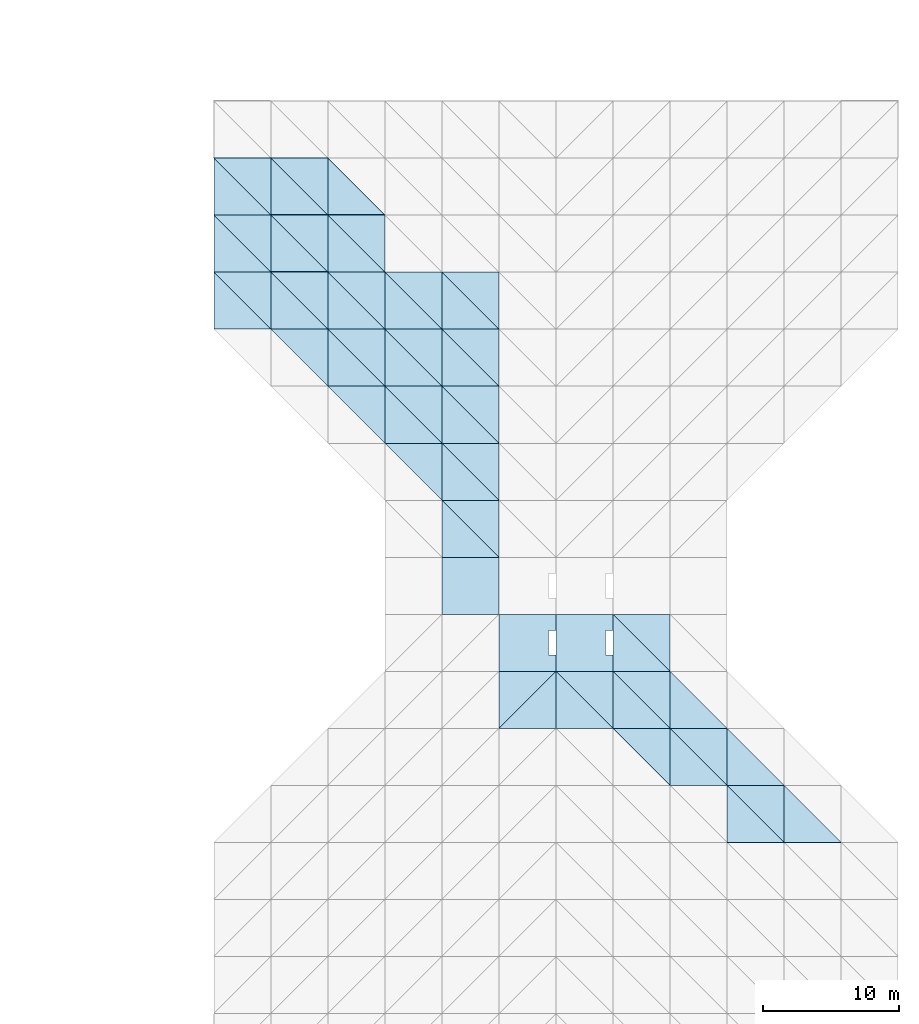
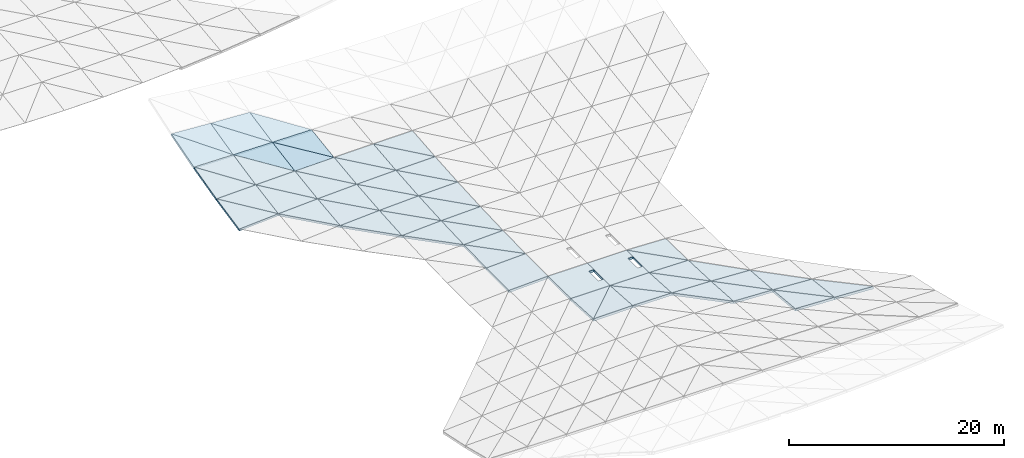
# One storey, part 23 of 64: 57 slabs.
"""IFC4 building model written with IfcOpenShell, lengths in metres."""

from ifc_helpers import new_model, si_unit, direction, frame, origin, place, context, subcontext, project, spatial, polyline, outline, extrude, material, layer, layer_set, type_object, element, save


model = new_model("IFC4")

# Units and contexts
model_context = context("Model", 3, precision=1e-05, world=origin(), true_north=direction((0.0, 1.0)))
body_context = subcontext(model_context, "Body", "Model", "MODEL_VIEW")
ifc_project = project(units=[si_unit("LENGTHUNIT", "METRE"), si_unit("AREAUNIT", "SQUARE_METRE"), si_unit("VOLUMEUNIT", "CUBIC_METRE"), si_unit("PLANEANGLEUNIT", "RADIAN"), si_unit("MASSUNIT", "GRAM", prefix="KILO")], contexts=[model_context])

# Site, building, storey
site_placement = place(None, origin())
site = spatial("IfcSite", under=ifc_project, at=site_placement, CompositionType="ELEMENT")
building_placement = place(site_placement, origin())
building = spatial("IfcBuilding", under=site, at=building_placement, Name="Cumbredor Promenade Congress Hotel", CompositionType="ELEMENT")
storey_placement = place(building_placement, frame((0.0, 0.0, 18.47998046875)))
storey = spatial("IfcBuildingStorey", under=building, at=storey_placement, Name="L05", CompositionType="ELEMENT", Elevation=18.47998046875)

# Slabs
ifc_material = material(Name="Concrete C40/50", Category="concrete")
ifc_layer = layer(ifc_material, 0.25, Name="Concrete C40/50", Category="concrete")
ifc_layer_set = layer_set([ifc_layer], Name="Concrete C40/50")
slab_type = type_object("IfcSlabType", Name="Catenary Space Frame Roof Deck 250mm", PredefinedType="ROOF", material=ifc_layer_set)
slab_1_placement = place(storey_placement, frame((138.60009765625, 54.60009765625, 0.11376953125), z_axis=(-0.063292145756, -0.205940721797, 0.976515500845), x_axis=(0.997906149499, 0.0, 0.064678565174)))
element("IfcSlab", 1, at=slab_1_placement, inside=storey, type_object=slab_type, Name="Grand Ballroom Pavilion Sweeping Roof Deck Facet 1.14.1", PredefinedType="ROOF", context=body_context, shape_type="SweptSolid", body=[
    extrude(outline(polyline([(0.0, 0.0), (4.208763693845863, -6.938893903907228e-18), (0.05728853380171169, 4.291951431778594), (0.0, 0.0)])), origin(), (0.0, 0.0, -1.0), 0.25),
])
slab_2_placement = place(storey_placement, frame((142.800048828125, 54.60009765625, 0.385986328125), z_axis=(-0.028161900128, -0.172005101393, 0.984693430706), x_axis=(0.0, 0.985084139669, 0.17207334998)))
element("IfcSlab", 2, at=slab_2_placement, inside=storey, type_object=slab_type, Name="Grand Ballroom Pavilion Sweeping Roof Deck Facet 1.14.2", PredefinedType="ROOF", context=body_context, shape_type="SweptSolid", body=[
    extrude(outline(polyline([(0.0, 0.0), (4.26354562290262, 0.0), (4.24287665605933, 4.201617638324166), (0.0, 0.0)])), origin(), (0.0, 0.0, -1.0), 0.25),
])
slab_3_placement = place(storey_placement, frame((138.60009765625, 58.800048828125, 0.99951171875), z_axis=(-0.027714787529, -0.245264603454, 0.969059938727), x_axis=(0.999591280357, 0.0, 0.028587973606)))
element("IfcSlab", 3, at=slab_3_placement, inside=storey, type_object=slab_type, Name="Grand Ballroom Pavilion Sweeping Roof Deck Facet 1.15.1", PredefinedType="ROOF", context=body_context, shape_type="SweptSolid", body=[
    extrude(outline(polyline([(0.0, 0.0), (4.2016684763159375, 0.0), (0.030388680927335508, 4.332275436797678), (0.0, 0.0)])), origin(), (0.0, 0.0, -1.0), 0.25),
])
slab_4_placement = place(storey_placement, frame((142.800048828125, 58.800048828125, 1.11962890625), z_axis=(0.014563048847, -0.205134195867, 0.978625505132), x_axis=(0.0, 0.97872929626, 0.205155952003)))
element("IfcSlab", 4, at=slab_4_placement, inside=storey, type_object=slab_type, Name="Grand Ballroom Pavilion Sweeping Roof Deck Facet 1.15.2", PredefinedType="ROOF", context=body_context, shape_type="SweptSolid", body=[
    extrude(outline(polyline([(0.0, 0.0), (4.291228624630103, 1.734723475976807e-18), (4.304050871630311, 4.200396610573345), (0.0, 0.0)])), origin(), (0.0, 0.0, -1.0), 0.25),
])
slab_5_placement = place(storey_placement, frame((138.60009765625, 63.0, 2.0625), z_axis=(0.014270419039, -0.283178627796, 0.958961010626), x_axis=(0.99988929444, 0.0, -0.014879477962)))
element("IfcSlab", 5, at=slab_5_placement, inside=storey, type_object=slab_type, Name="Grand Ballroom Pavilion Sweeping Roof Deck Facet 1.16.1", PredefinedType="ROOF", context=body_context, shape_type="SweptSolid", body=[
    extrude(outline(polyline([(0.0, 0.0), (4.200416181300871, 0.0), (-0.01845404005026323, 4.379204334062485), (0.0, 0.0)])), origin(), (0.0, 0.0, -1.0), 0.25),
])
slab_6_placement = place(storey_placement, frame((142.800048828125, 63.0, 2.0), z_axis=(0.063677329507, -0.237014909652, 0.96941690222), x_axis=(0.0, 0.971388296399, 0.23749690023)))
element("IfcSlab", 6, at=slab_6_placement, inside=storey, type_object=slab_type, Name="Grand Ballroom Pavilion Sweeping Roof Deck Facet 1.16.2", PredefinedType="ROOF", context=body_context, shape_type="SweptSolid", body=[
    extrude(outline(polyline([(0.0, 0.0), (4.323658404619399, 0.0), (4.389178789692585, 4.208492140445048), (0.0, 0.0)])), origin(), (0.0, 0.0, -1.0), 0.25),
])
slab_7_placement = place(storey_placement, frame((147.0, 50.39990234375, 0.12158203125), z_axis=(-0.052645408579, -0.115086667719, 0.991959434588), x_axis=(0.0, 0.99333692573, 0.115246483594)))
element("IfcSlab", 7, at=slab_7_placement, inside=storey, type_object=slab_type, Name="Grand Ballroom Pavilion Sweeping Roof Deck Facet 2.13.2", PredefinedType="ROOF", context=body_context, shape_type="SweptSolid", body=[
    extrude(outline(polyline([(0.0, 0.0), (4.2283692508585915, -3.469446951953614e-18), (4.2026807646472495, 4.205783462323178), (0.0, 0.0)])), origin(), (0.0, 0.0, -1.0), 0.25),
])
slab_8_placement = place(storey_placement, frame((142.800048828125, 54.60009765625, 0.385986328125), z_axis=(-0.052209220159, -0.17183867095, 0.983740651034), x_axis=(0.99859464216, 0.0, 0.052997553234)))
element("IfcSlab", 8, at=slab_8_placement, inside=storey, type_object=slab_type, Name="Grand Ballroom Pavilion Sweeping Roof Deck Facet 2.14.1", PredefinedType="ROOF", context=body_context, shape_type="SweptSolid", body=[
    extrude(outline(polyline([(0.0, 0.0), (4.205861912887175, 0.0), (0.03888126158924167, 4.263368331034665), (0.0, 0.0)])), origin(), (0.0, 0.0, -1.0), 0.25),
])
slab_9_placement = place(storey_placement, frame((147.0, 54.60009765625, 0.60888671875), z_axis=(-0.023120069261, -0.143436449594, 0.989389431582), x_axis=(0.0, 0.989653970568, 0.143474801058)))
element("IfcSlab", 9, at=slab_9_placement, inside=storey, type_object=slab_type, Name="Grand Ballroom Pavilion Sweeping Roof Deck Facet 2.14.2", PredefinedType="ROOF", context=body_context, shape_type="SweptSolid", body=[
    extrude(outline(polyline([(0.0, 0.0), (4.243858254278096, 0.0), (4.229776987182092, 4.2010741380110685), (0.0, 0.0)])), origin(), (0.0, 0.0, -1.0), 0.25),
])
slab_10_placement = place(storey_placement, frame((142.800048828125, 58.800048828125, 1.11962890625), z_axis=(-0.022864983698, -0.205102316459, 0.978473419314), x_axis=(0.999727079655, 0.0, 0.023361639599)))
element("IfcSlab", 10, at=slab_10_placement, inside=storey, type_object=slab_type, Name="Grand Ballroom Pavilion Sweeping Roof Deck Facet 2.15.1", PredefinedType="ROOF", context=body_context, shape_type="SweptSolid", body=[
    extrude(outline(polyline([(0.0, 0.0), (4.2010977369193006, 3.469446951953614e-18), (0.020566912205547502, 4.291179338010367), (0.0, 0.0)])), origin(), (0.0, 0.0, -1.0), 0.25),
])
slab_11_placement = place(storey_placement, frame((147.0, 58.800048828125, 1.2177734375), z_axis=(0.012025524242, -0.171449617054, 0.985119493046), x_axis=(0.0, 0.98519073143, 0.17146201534)))
element("IfcSlab", 11, at=slab_11_placement, inside=storey, type_object=slab_type, Name="Grand Ballroom Pavilion Sweeping Roof Deck Facet 2.15.2", PredefinedType="ROOF", context=body_context, shape_type="SweptSolid", body=[
    extrude(outline(polyline([(0.0, 0.0), (4.263084332694816, 0.0), (4.271875109848499, 4.200254889075878), (0.0, 0.0)])), origin(), (0.0, 0.0, -1.0), 0.25),
])
slab_12_placement = place(storey_placement, frame((142.800048828125, 63.0, 2.0), z_axis=(0.011857071565, -0.237480204781, 0.971320010188), x_axis=(0.999925500788, 0.0, -0.012206263743)))
element("IfcSlab", 12, at=slab_12_placement, inside=storey, type_object=slab_type, Name="Grand Ballroom Pavilion Sweeping Roof Deck Facet 2.16.1", PredefinedType="ROOF", context=body_context, shape_type="SweptSolid", body=[
    extrude(outline(polyline([(0.0, 0.0), (4.200264088241212, 0.0), (-0.012534068677180795, 4.323640236763272), (0.0, 0.0)])), origin(), (0.0, 0.0, -1.0), 0.25),
])
slab_13_placement = place(storey_placement, frame((147.0, 63.0, 1.94873046875), z_axis=(0.052565284808, -0.198655816612, 0.978658652115), x_axis=(0.0, 0.980013530867, 0.198930840539)))
element("IfcSlab", 13, at=slab_13_placement, inside=storey, type_object=slab_type, Name="Grand Ballroom Pavilion Sweeping Roof Deck Facet 2.16.2", PredefinedType="ROOF", context=body_context, shape_type="SweptSolid", body=[
    extrude(outline(polyline([(0.0, 0.0), (4.285605289713761, 0.0), (4.330481289874354, 4.205765686048324), (0.0, 0.0)])), origin(), (0.0, 0.0, -1.0), 0.25),
])
slab_14_placement = place(storey_placement, frame((151.199951171875, 46.199951171875, 0.065185546875), z_axis=(-0.059434651655, -0.072803107869, 0.995573819296), x_axis=(0.0, 0.997336912956, 0.072932037232)))
element("IfcSlab", 14, at=slab_14_placement, inside=storey, type_object=slab_type, Name="Grand Ballroom Pavilion Sweeping Roof Deck Facet 3.12.2", PredefinedType="ROOF", context=body_context, shape_type="SweptSolid", body=[
    extrude(outline(polyline([(0.0, 0.0), (4.21116587315063, 0.0), (4.192879446823218, 4.207389000333301), (0.0, 0.0)])), origin(), (0.0, 0.0, -1.0), 0.25),
])
slab_15_placement = place(storey_placement, frame((147.0, 50.39990234375, 0.12158203125), z_axis=(-0.059197116005, -0.115044377337, 0.991594923696), x_axis=(0.998222770352, 0.0, 0.059592791092)))
element("IfcSlab", 15, at=slab_15_placement, inside=storey, type_object=slab_type, Name="Grand Ballroom Pavilion Sweeping Roof Deck Facet 3.13.1", PredefinedType="ROOF", context=body_context, shape_type="SweptSolid", body=[
    extrude(outline(polyline([(0.0, 0.0), (4.207428738970333, -3.469446951953614e-18), (0.02903984644023143, 4.228269528888286), (0.0, 0.0)])), origin(), (0.0, 0.0, -1.0), 0.25),
])
slab_16_placement = place(storey_placement, frame((151.199951171875, 50.39990234375, 0.372314453125), z_axis=(-0.04098462774, -0.096993241033, 0.994440833576), x_axis=(0.0, 0.99527708812, 0.097074805503)))
element("IfcSlab", 16, at=slab_16_placement, inside=storey, type_object=slab_type, Name="Grand Ballroom Pavilion Sweeping Roof Deck Facet 3.13.2", PredefinedType="ROOF", context=body_context, shape_type="SweptSolid", body=[
    extrude(outline(polyline([(0.0, 0.0), (4.220126598547338, -3.469446951953614e-18), (4.203323366833157, 4.203483034339318), (0.0, 0.0)])), origin(), (0.0, 0.0, -1.0), 0.25),
])
slab_17_placement = place(storey_placement, frame((147.0, 54.60009765625, 0.60888671875), z_axis=(-0.040753458414, -0.143355606889, 0.988831798437), x_axis=(0.999151794145, 0.0, 0.041178784052)))
element("IfcSlab", 17, at=slab_17_placement, inside=storey, type_object=slab_type, Name="Grand Ballroom Pavilion Sweeping Roof Deck Facet 3.14.1", PredefinedType="ROOF", context=body_context, shape_type="SweptSolid", body=[
    extrude(outline(polyline([(0.0, 0.0), (4.203516619281352, 0.0), (0.025073214703626938, 4.243784185878065), (0.0, 0.0)])), origin(), (0.0, 0.0, -1.0), 0.25),
])
slab_18_placement = place(storey_placement, frame((151.199951171875, 54.60009765625, 0.781982421875), z_axis=(-0.018057742267, -0.12103879641, 0.992483515081), x_axis=(0.0, 0.992645370198, 0.121058535527)))
element("IfcSlab", 18, at=slab_18_placement, inside=storey, type_object=slab_type, Name="Grand Ballroom Pavilion Sweeping Roof Deck Facet 3.14.2", PredefinedType="ROOF", context=body_context, shape_type="SweptSolid", body=[
    extrude(outline(polyline([(0.0, 0.0), (4.23106911891027, 0.0), (4.221818307967877, 4.200636103743705), (0.0, 0.0)])), origin(), (0.0, 0.0, -1.0), 0.25),
])
slab_19_placement = place(storey_placement, frame((147.0, 58.800048828125, 1.2177734375), z_axis=(-0.017922174674, -0.171434475957, 0.985032494951), x_axis=(0.999834521151, 0.0, 0.018191490154)))
element("IfcSlab", 19, at=slab_19_placement, inside=storey, type_object=slab_type, Name="Grand Ballroom Pavilion Sweeping Roof Deck Facet 3.15.1", PredefinedType="ROOF", context=body_context, shape_type="SweptSolid", body=[
    extrude(outline(polyline([(0.0, 0.0), (4.2006462899866, 0.0), (0.013297197637028801, 4.26306359467027), (0.0, 0.0)])), origin(), (0.0, 0.0, -1.0), 0.25),
])
slab_20_placement = place(storey_placement, frame((151.199951171875, 58.800048828125, 1.294189453125), z_axis=(0.009432371554, -0.144763897574, 0.989421267371), x_axis=(0.0, 0.989465284532, 0.1447703378)))
element("IfcSlab", 20, at=slab_20_placement, inside=storey, type_object=slab_type, Name="Grand Ballroom Pavilion Sweeping Roof Deck Facet 3.15.2", PredefinedType="ROOF", context=body_context, shape_type="SweptSolid", body=[
    extrude(outline(polyline([(0.0, 0.0), (4.2446675366309465, -8.673617379884035e-19), (4.25046400523425, 4.200138018400324), (0.0, 0.0)])), origin(), (0.0, 0.0, -1.0), 0.25),
])
slab_21_placement = place(storey_placement, frame((147.0, 63.0, 1.94873046875), z_axis=(0.009342277809, -0.198922159191, 0.979970763048), x_axis=(0.999954561946, 0.0, -0.009532787779)))
element("IfcSlab", 21, at=slab_21_placement, inside=storey, type_object=slab_type, Name="Grand Ballroom Pavilion Sweeping Roof Deck Facet 3.16.1", PredefinedType="ROOF", context=body_context, shape_type="SweptSolid", body=[
    extrude(outline(polyline([(0.0, 0.0), (4.20014201815368, 0.0), (-0.008127073955974016, 4.285597583755559), (0.0, 0.0)])), origin(), (0.0, 0.0, -1.0), 0.25),
])
slab_22_placement = place(storey_placement, frame((155.39990234375, 42.0, 0.1083984375), z_axis=(-0.052372191237, -0.042106545778, 0.997739541357), x_axis=(0.0, 0.999110685794, 0.042164410736)))
element("IfcSlab", 22, at=slab_22_placement, inside=storey, type_object=slab_type, Name="Grand Ballroom Pavilion Sweeping Roof Deck Facet 4.11.2", PredefinedType="ROOF", context=body_context, shape_type="SweptSolid", body=[
    extrude(outline(polyline([(0.0, 0.0), (4.203689572730581, 0.0), (4.194394049563018, 4.20572295844304), (0.0, 0.0)])), origin(), (0.0, 0.0, -1.0), 0.25),
])
slab_23_placement = place(storey_placement, frame((151.199951171875, 46.199951171875, 0.065185546875), z_axis=(-0.052279466529, -0.072832302208, 0.995973048398), x_axis=(0.998625195951, 0.0, 0.052418679994)))
element("IfcSlab", 23, at=slab_23_placement, inside=storey, type_object=slab_type, Name="Grand Ballroom Pavilion Sweeping Roof Deck Facet 4.12.1", PredefinedType="ROOF", context=body_context, shape_type="SweptSolid", body=[
    extrude(outline(polyline([(0.0, 0.0), (4.2057332309510365, 0.0), (0.01609929185374617, 4.211135099232784), (0.0, 0.0)])), origin(), (0.0, 0.0, -1.0), 0.25),
])
slab_24_placement = place(storey_placement, frame((155.39990234375, 46.199951171875, 0.28564453125), z_axis=(-0.042543191666, -0.06311925848, 0.997098809573), x_axis=(0.0, 0.998002372405, 0.063176456638)))
element("IfcSlab", 24, at=slab_24_placement, inside=storey, type_object=slab_type, Name="Grand Ballroom Pavilion Sweeping Roof Deck Facet 4.12.2", PredefinedType="ROOF", context=body_context, shape_type="SweptSolid", body=[
    extrude(outline(polyline([(0.0, 0.0), (4.208357903751874, 0.0), (4.19703673207889, 4.2037571334708135), (0.0, 0.0)])), origin(), (0.0, 0.0, -1.0), 0.25),
])
slab_25_placement = place(storey_placement, frame((151.199951171875, 50.39990234375, 0.372314453125), z_axis=(-0.042427226709, -0.096987395447, 0.99438090064), x_axis=(0.999091005461, 0.0, 0.042628192641)))
element("IfcSlab", 25, at=slab_25_placement, inside=storey, type_object=slab_type, Name="Grand Ballroom Pavilion Sweeping Roof Deck Facet 4.13.1", PredefinedType="ROOF", context=body_context, shape_type="SweptSolid", body=[
    extrude(outline(polyline([(0.0, 0.0), (4.203772378011778, -6.938893903907228e-18), (0.017463405090839042, 4.220090465529069), (0.0, 0.0)])), origin(), (0.0, 0.0, -1.0), 0.25),
])
slab_26_placement = place(storey_placement, frame((155.39990234375, 50.39990234375, 0.551513671875), z_axis=(-0.029354682769, -0.084006250293, 0.996032756746), x_axis=(0.0, 0.996462173705, 0.084042467685)))
element("IfcSlab", 26, at=slab_26_placement, inside=storey, type_object=slab_type, Name="Grand Ballroom Pavilion Sweeping Roof Deck Facet 4.13.2", PredefinedType="ROOF", context=body_context, shape_type="SweptSolid", body=[
    extrude(outline(polyline([(0.0, 0.0), (4.215107631112369, -1.734723475976807e-18), (4.2047049135547265, 4.2017618856780174), (0.0, 0.0)])), origin(), (0.0, 0.0, -1.0), 0.25),
])
slab_27_placement = place(storey_placement, frame((151.199951171875, 54.60009765625, 0.781982421875), z_axis=(-0.029242340256, -0.121006765005, 0.992220866722), x_axis=(0.999565994989, 0.0, 0.029458812966)))
element("IfcSlab", 27, at=slab_27_placement, inside=storey, type_object=slab_type, Name="Grand Ballroom Pavilion Sweeping Roof Deck Facet 4.14.1", PredefinedType="ROOF", context=body_context, shape_type="SweptSolid", body=[
    extrude(outline(polyline([(0.0, 0.0), (4.201774763176752, 0.0), (0.015089011133624425, 4.231042213301485), (0.0, 0.0)])), origin(), (0.0, 0.0, -1.0), 0.25),
])
slab_28_placement = place(storey_placement, frame((155.39990234375, 54.60009765625, 0.90576171875), z_axis=(-0.012890312655, -0.104856624021, 0.994403805422), x_axis=(0.0, 0.994486430867, 0.104865336604)))
element("IfcSlab", 28, at=slab_28_placement, inside=storey, type_object=slab_type, Name="Grand Ballroom Pavilion Sweeping Roof Deck Facet 4.14.2", PredefinedType="ROOF", context=body_context, shape_type="SweptSolid", body=[
    extrude(outline(polyline([(0.0, 0.0), (4.2232362770526475, 0.0), (4.217527055845953, 4.200300147645098), (0.0, 0.0)])), origin(), (0.0, 0.0, -1.0), 0.25),
])
slab_29_placement = place(storey_placement, frame((155.39990234375, 33.60009765625, 0.02001953125), z_axis=(-0.037406956173, 0.0, 0.999300114895), x_axis=(0.999300114895, 0.0, 0.037406956173)))
element("IfcSlab", 29, at=slab_29_placement, inside=storey, type_object=slab_type, Name="Grand Ballroom Pavilion Sweeping Roof Deck Facet 5.9", PredefinedType="ROOF", context=body_context, shape_type="SweptSolid", body=[
    extrude(outline(polyline([(0.0, 0.0), (4.203137025496853, 0.0), (4.203137025496853, 4.199951171875), (0.0, 4.199951171875), (0.0, 0.0)])), origin(), (0.0, 0.0, -1.0), 0.25),
])
slab_30_placement = place(storey_placement, frame((155.39990234375, 37.800048828125, 0.02001953125), z_axis=(-0.037398688581, -0.021023466213, 0.999079252092), x_axis=(0.999300114895, 0.0, 0.037406956173)))
element("IfcSlab", 30, at=slab_30_placement, inside=storey, type_object=slab_type, Name="Grand Ballroom Pavilion Sweeping Roof Deck Facet 5.10.1", PredefinedType="ROOF", context=body_context, shape_type="SweptSolid", body=[
    extrude(outline(polyline([(0.0, 0.0), (4.203137025496853, 0.0), (0.003305985872672013, 4.200879639749459), (0.0, 0.0)])), origin(), (0.0, 0.0, -1.0), 0.25),
])
slab_31_placement = place(storey_placement, frame((159.60009765625, 37.800048828125, 0.17724609375), z_axis=(-0.035486139133, -0.019109031803, 0.999187459305), x_axis=(0.0, 0.999817175536, 0.019121074856)))
element("IfcSlab", 31, at=slab_31_placement, inside=storey, type_object=slab_type, Name="Grand Ballroom Pavilion Sweeping Roof Deck Facet 5.10.2", PredefinedType="ROOF", context=body_context, shape_type="SweptSolid", body=[
    extrude(outline(polyline([(0.0, 0.0), (4.200719166105885, 4.336808689942018e-19), (4.197866876863419, 4.202842394521265), (0.0, 0.0)])), origin(), (0.0, 0.0, -1.0), 0.25),
])
slab_32_placement = place(storey_placement, frame((155.39990234375, 42.0, 0.1083984375), z_axis=(-0.035461095498, -0.042137891749, 0.99848230269), x_axis=(0.999369938478, 0.0, 0.03549261988)))
element("IfcSlab", 32, at=slab_32_placement, inside=storey, type_object=slab_type, Name="Grand Ballroom Pavilion Sweeping Roof Deck Facet 5.11.1", PredefinedType="ROOF", context=body_context, shape_type="SweptSolid", body=[
    extrude(outline(polyline([(0.0, 0.0), (4.202843362384467, 0.0), (0.0062909282306290665, 4.203684865460994), (0.0, 0.0)])), origin(), (0.0, 0.0, -1.0), 0.25),
])
slab_33_placement = place(storey_placement, frame((159.60009765625, 42.0, 0.257568359375), z_axis=(-0.031523689871, -0.038202198323, 0.998772671342), x_axis=(0.0, 0.999269303203, 0.038221194065)))
element("IfcSlab", 33, at=slab_33_placement, inside=storey, type_object=slab_type, Name="Grand Ballroom Pavilion Sweeping Roof Deck Facet 5.11.2", PredefinedType="ROOF", context=body_context, shape_type="SweptSolid", body=[
    extrude(outline(polyline([(0.0, 0.0), (4.20302230681146, 8.673617379884035e-19), (4.197955385820851, 4.202283826607387), (0.0, 0.0)])), origin(), (0.0, 0.0, -1.0), 0.25),
])
slab_34_placement = place(storey_placement, frame((155.39990234375, 46.199951171875, 0.28564453125), z_axis=(-0.031483761975, -0.063145137762, 0.997507626191), x_axis=(0.999502278427, 0.0, 0.031546718041)))
element("IfcSlab", 34, at=slab_34_placement, inside=storey, type_object=slab_type, Name="Grand Ballroom Pavilion Sweeping Roof Deck Facet 5.12.1", PredefinedType="ROOF", context=body_context, shape_type="SweptSolid", body=[
    extrude(outline(polyline([(0.0, 0.0), (4.202286881336679, 0.0), (0.00838729881523136, 4.208349545758937), (0.0, 0.0)])), origin(), (0.0, 0.0, -1.0), 0.25),
])
slab_35_placement = place(storey_placement, frame((159.60009765625, 46.199951171875, 0.418212890625), z_axis=(-0.025525222763, -0.05720302872, 0.998036210019), x_axis=(0.0, 0.998361497738, 0.057221672776)))
element("IfcSlab", 35, at=slab_35_placement, inside=storey, type_object=slab_type, Name="Grand Ballroom Pavilion Sweeping Roof Deck Facet 5.12.2", PredefinedType="ROOF", context=body_context, shape_type="SweptSolid", body=[
    extrude(outline(polyline([(0.0, 0.0), (4.20684409544331, 0.0), (4.2006972360630535, 4.201564272803077), (0.0, 0.0)])), origin(), (0.0, 0.0, -1.0), 0.25),
])
slab_36_placement = place(storey_placement, frame((155.39990234375, 50.39990234375, 0.551513671875), z_axis=(-0.025476694076, -0.084015188874, 0.996138738378), x_axis=(0.999673108598, 0.0, 0.025567087176)))
element("IfcSlab", 36, at=slab_36_placement, inside=storey, type_object=slab_type, Name="Grand Ballroom Pavilion Sweeping Roof Deck Facet 5.13.1", PredefinedType="ROOF", context=body_context, shape_type="SweptSolid", body=[
    extrude(outline(polyline([(0.0, 0.0), (4.201568769206984, 0.0), (0.009057090696526385, 4.215097900520206), (0.0, 0.0)])), origin(), (0.0, 0.0, -1.0), 0.25),
])
slab_37_placement = place(storey_placement, frame((159.60009765625, 50.39990234375, 0.658935546875), z_axis=(-0.0176161816, -0.076201575015, 0.996936803469), x_axis=(0.0, 0.997091529108, 0.07621340158)))
element("IfcSlab", 37, at=slab_37_placement, inside=storey, type_object=slab_type, Name="Grand Ballroom Pavilion Sweeping Roof Deck Facet 5.13.2", PredefinedType="ROOF", context=body_context, shape_type="SweptSolid", body=[
    extrude(outline(polyline([(0.0, 0.0), (4.212447092250382, 8.673617379884035e-19), (4.206790628851887, 4.200847187225497), (0.0, 0.0)])), origin(), (0.0, 0.0, -1.0), 0.25),
])
slab_38_placement = place(storey_placement, frame((155.39990234375, 54.60009765625, 0.90576171875), z_axis=(-0.017570170079, -0.104849148819, 0.994332914629), x_axis=(0.999843916636, 0.0, 0.017667551189)))
element("IfcSlab", 38, at=slab_38_placement, inside=storey, type_object=slab_type, Name="Grand Ballroom Pavilion Sweeping Roof Deck Facet 5.14.1", PredefinedType="ROOF", context=body_context, shape_type="SweptSolid", body=[
    extrude(outline(polyline([(0.0, 0.0), (4.200850995453009, 0.0), (0.007824447719006342, 4.223229028815676), (0.0, 0.0)])), origin(), (0.0, 0.0, -1.0), 0.25),
])
slab_39_placement = place(storey_placement, frame((159.60009765625, 54.60009765625, 0.97998046875), z_axis=(-0.007753328567, -0.095128456032, 0.995434810899), x_axis=(0.0, 0.995464732084, 0.095131315442)))
element("IfcSlab", 39, at=slab_39_placement, inside=storey, type_object=slab_type, Name="Grand Ballroom Pavilion Sweeping Roof Deck Facet 5.14.2", PredefinedType="ROOF", context=body_context, shape_type="SweptSolid", body=[
    extrude(outline(polyline([(0.0, 0.0), (4.219085856596882, 0.0), (4.215973650476471, 4.200321563680764), (0.0, 0.0)])), origin(), (0.0, 0.0, -1.0), 0.25),
])
slab_40_placement = place(storey_placement, frame((159.60009765625, 25.199951171875, 0.418212890625), z_axis=(-0.01043872998, 0.067677766036, 0.997652621357), x_axis=(0.999945264262, 0.0, 0.01046271857)))
element("IfcSlab", 40, at=slab_40_placement, inside=storey, type_object=slab_type, Name="Grand Ballroom Pavilion Sweeping Roof Deck Facet 6.7.1", PredefinedType="ROOF", context=body_context, shape_type="SweptSolid", body=[
    extrude(outline(polyline([(0.0, 0.0), (4.200181071885462, 0.0), (4.197200116667763, 4.209602816194028), (0.0, 0.0)])), origin(), (0.0, 0.0, -1.0), 0.25),
])
slab_41_placement = place(storey_placement, frame((159.60009765625, 25.199951171875, 0.418212890625), z_axis=(0.0, 0.057279516617, 0.998358180703), x_axis=(0.706525595049, 0.706525595049, -0.040535997344)))
element("IfcSlab", 41, at=slab_41_placement, inside=storey, type_object=slab_type, Name="Grand Ballroom Pavilion Sweeping Roof Deck Facet 6.7.2", PredefinedType="ROOF", context=body_context, shape_type="SweptSolid", body=[
    extrude(outline(polyline([(0.0, 0.0), (5.944513831211479, -8.153200337090993e-17), (2.977140830324831, 2.9722529030590854), (0.0, 0.0)])), origin(), (0.0, 0.0, -1.0), 0.25),
])
slab_42_placement = place(storey_placement, frame((0.0, 0.0, -0.07275390625)))
element("IfcSlab", 42, at=slab_42_placement, inside=storey, type_object=slab_type, Name="Grand Ballroom Pavilion Saddle Skylight Roof Slab 6.8", PredefinedType="ROOF", context=body_context, shape_type="SweptSolid", body=[
    extrude(outline(polyline([(159.60009765625, 29.39990234375), (163.800048828125, 29.39990234375), (163.800048828125, 30.60009765625), (163.25, 30.60009765625), (163.25, 32.39990234375), (163.800048828125, 32.39990234375), (163.800048828125, 33.60009765625), (159.60009765625, 33.60009765625), (159.60009765625, 29.39990234375)])), origin(), (0.0, 0.0, 1.0), 0.25),
])
slab_43_placement = place(storey_placement, frame((163.800048828125, 25.199951171875, 0.462158203125), z_axis=(0.01043872998, 0.067677766036, 0.997652621357), x_axis=(0.999945264262, 0.0, -0.01046271857)))
element("IfcSlab", 43, at=slab_43_placement, inside=storey, type_object=slab_type, Name="Grand Ballroom Pavilion Sweeping Roof Deck Facet 7.7.1", PredefinedType="ROOF", context=body_context, shape_type="SweptSolid", body=[
    extrude(outline(polyline([(0.0, 0.0), (4.200181071885462, 0.0), (0.00298095521769924, 4.209602816194028), (0.0, 0.0)])), origin(), (0.0, 0.0, -1.0), 0.25),
])
slab_44_placement = place(storey_placement, frame((168.0, 25.199951171875, 0.418212890625), z_axis=(0.0, 0.057279516617, 0.998358180703), x_axis=(0.0, 0.998358180703, -0.057279516617)))
element("IfcSlab", 44, at=slab_44_placement, inside=storey, type_object=slab_type, Name="Grand Ballroom Pavilion Sweeping Roof Deck Facet 7.7.2", PredefinedType="ROOF", context=body_context, shape_type="SweptSolid", body=[
    extrude(outline(polyline([(0.0, 0.0), (4.206858072639293, 0.0), (4.206858072639293, 4.199951171875001), (0.0, 0.0)])), origin(), (0.0, 0.0, -1.0), 0.25),
])
slab_45_placement = place(storey_placement, frame((0.0, 0.0, -0.07275390625)))
element("IfcSlab", 45, at=slab_45_placement, inside=storey, type_object=slab_type, Name="Grand Ballroom Pavilion Saddle Skylight Roof Slab 7.8", PredefinedType="ROOF", context=body_context, shape_type="SweptSolid", body=[
    extrude(outline(polyline([(163.800048828125, 29.39990234375), (168.0, 29.39990234375), (168.0, 30.60009765625), (167.449951171875, 30.60009765625), (167.449951171875, 32.39990234375), (168.0, 32.39990234375), (168.0, 33.60009765625), (163.800048828125, 33.60009765625), (163.800048828125, 29.39990234375)])), origin(), (0.0, 0.0, 1.0), 0.25),
])
slab_46_placement = place(storey_placement, frame((172.199951171875, 21.0, 0.551513671875), z_axis=(0.031485590293, 0.063145134124, 0.997507568713), x_axis=(0.0, 0.998002372405, -0.063176456638)))
element("IfcSlab", 46, at=slab_46_placement, inside=storey, type_object=slab_type, Name="Grand Ballroom Pavilion Sweeping Roof Deck Facet 8.6.2", PredefinedType="ROOF", context=body_context, shape_type="SweptSolid", body=[
    extrude(outline(polyline([(0.0, 0.0), (4.208357903751874, -1.734723475976807e-18), (4.199982704544204, 4.2020345158125245), (0.0, 0.0)])), origin(), (0.0, 0.0, -1.0), 0.25),
])
slab_47_placement = place(storey_placement, frame((168.0, 25.199951171875, 0.418212890625), z_axis=(0.031496804417, 0.057251097532, 0.997862847862), x_axis=(0.999502220604, 0.0, -0.031548550008)))
element("IfcSlab", 47, at=slab_47_placement, inside=storey, type_object=slab_type, Name="Grand Ballroom Pavilion Sweeping Roof Deck Facet 8.7.1", PredefinedType="ROOF", context=body_context, shape_type="SweptSolid", body=[
    extrude(outline(polyline([(0.0, 0.0), (4.202042862232793, 0.0), (0.007602153041483635, 4.206851203762681), (0.0, 0.0)])), origin(), (0.0, 0.0, -1.0), 0.25),
])
slab_48_placement = place(storey_placement, frame((172.199951171875, 25.199951171875, 0.28564453125), z_axis=(0.016375715477, 0.042158756867, 0.998976714024), x_axis=(0.0, 0.999110685794, -0.042164410736)))
element("IfcSlab", 48, at=slab_48_placement, inside=storey, type_object=slab_type, Name="Grand Ballroom Pavilion Sweeping Roof Deck Facet 8.7.2", PredefinedType="ROOF", context=body_context, shape_type="SweptSolid", body=[
    extrude(outline(polyline([(0.0, 0.0), (4.203689572730581, 0.0), (4.200786651874266, 4.200514423133886), (0.0, 0.0)])), origin(), (0.0, 0.0, -1.0), 0.25),
])
slab_49_placement = place(storey_placement, frame((168.0, 29.39990234375, 0.17724609375), z_axis=(0.016390287682, 0.0, 0.999865670213), x_axis=(0.999865670213, 0.0, -0.016390287682)))
element("IfcSlab", 49, at=slab_49_placement, inside=storey, type_object=slab_type, Name="Grand Ballroom Pavilion Sweeping Roof Deck Facet 8.8.1", PredefinedType="ROOF", context=body_context, shape_type="SweptSolid", body=[
    extrude(outline(polyline([(0.0, 0.0), (4.20051542621918, 0.0), (0.0, 4.200195312500001), (0.0, 0.0)])), origin(), (0.0, 0.0, -1.0), 0.25),
])
slab_50_placement = place(storey_placement, frame((172.199951171875, 29.39990234375, 0.1083984375), z_axis=(0.037400860464, 0.021022243033, 0.999079196528), x_axis=(0.0, 0.999778698634, -0.021036961689)))
element("IfcSlab", 50, at=slab_50_placement, inside=storey, type_object=slab_type, Name="Grand Ballroom Pavilion Sweeping Roof Deck Facet 8.8.2", PredefinedType="ROOF", context=body_context, shape_type="SweptSolid", body=[
    extrude(outline(polyline([(0.0, 0.0), (4.201125027206037, -4.336808689942018e-19), (4.197817458034157, 4.202891754265857), (0.0, 0.0)])), origin(), (0.0, 0.0, -1.0), 0.25),
])
slab_51_placement = place(storey_placement, frame((172.199951171875, 21.0, 0.551513671875), z_axis=(0.042543191666, 0.06311925848, 0.997098809573), x_axis=(0.999091005461, 0.0, -0.042628192641)))
element("IfcSlab", 51, at=slab_51_placement, inside=storey, type_object=slab_type, Name="Grand Ballroom Pavilion Sweeping Roof Deck Facet 9.6.1", PredefinedType="ROOF", context=body_context, shape_type="SweptSolid", body=[
    extrude(outline(polyline([(0.0, 0.0), (4.203772378011778, 0.0), (0.01133352094393547, 4.20834264258198), (0.0, 0.0)])), origin(), (0.0, 0.0, -1.0), 0.25),
])
slab_52_placement = place(storey_placement, frame((176.39990234375, 21.0, 0.372314453125), z_axis=(0.052279466529, 0.072832302208, 0.995973048398), x_axis=(0.0, 0.997336912956, -0.072932037232)))
element("IfcSlab", 52, at=slab_52_placement, inside=storey, type_object=slab_type, Name="Grand Ballroom Pavilion Sweeping Roof Deck Facet 9.6.2", PredefinedType="ROOF", context=body_context, shape_type="SweptSolid", body=[
    extrude(outline(polyline([(0.0, 0.0), (4.21116587315063, 3.469446951953614e-18), (4.195087350294103, 4.205702496733286), (0.0, 0.0)])), origin(), (0.0, 0.0, -1.0), 0.25),
])
slab_53_placement = place(storey_placement, frame((172.199951171875, 25.199951171875, 0.28564453125), z_axis=(0.052372191237, 0.042106545778, 0.997739541357), x_axis=(0.998625195951, 0.0, -0.052418679994)))
element("IfcSlab", 53, at=slab_53_placement, inside=storey, type_object=slab_type, Name="Grand Ballroom Pavilion Sweeping Roof Deck Facet 9.7.1", PredefinedType="ROOF", context=body_context, shape_type="SweptSolid", body=[
    extrude(outline(polyline([(0.0, 0.0), (4.2057332309510365, 0.0), (0.009291006268537138, 4.203679305214224), (0.0, 0.0)])), origin(), (0.0, 0.0, -1.0), 0.25),
])
slab_54_placement = place(storey_placement, frame((176.39990234375, 16.800048828125, 0.781982421875), z_axis=(0.040982227055, 0.096998835616, 0.994440386828), x_axis=(0.999151892623, 0.0, -0.041176394552)))
element("IfcSlab", 54, at=slab_54_placement, inside=storey, type_object=slab_type, Name="Grand Ballroom Pavilion Sweeping Roof Deck Facet 10.5.1", PredefinedType="ROOF", context=body_context, shape_type="SweptSolid", body=[
    extrude(outline(polyline([(0.0, 0.0), (4.203760552836866, 0.0), (0.016868649916493863, 4.219849895364043), (0.0, 0.0)])), origin(), (0.0, 0.0, -1.0), 0.25),
])
slab_55_placement = place(storey_placement, frame((180.60009765625, 16.800048828125, 0.60888671875), z_axis=(0.059193641627, 0.115050999713, 0.991594362759), x_axis=(0.0, 0.993336158793, -0.115253093818)))
element("IfcSlab", 55, at=slab_55_placement, inside=storey, type_object=slab_type, Name="Grand Ballroom Pavilion Sweeping Roof Deck Facet 10.5.2", PredefinedType="ROOF", context=body_context, shape_type="SweptSolid", body=[
    extrude(outline(polyline([(0.0, 0.0), (4.228126737054326, -3.469446951953614e-18), (4.199229049712759, 4.207573211982483), (0.0, 0.0)])), origin(), (0.0, 0.0, -1.0), 0.25),
])
slab_56_placement = place(storey_placement, frame((176.39990234375, 21.0, 0.372314453125), z_axis=(0.059431209158, 0.072803122817, 0.99557402371), x_axis=(0.998222976403, 0.0, -0.0595893395)))
element("IfcSlab", 56, at=slab_56_placement, inside=storey, type_object=slab_type, Name="Grand Ballroom Pavilion Sweeping Roof Deck Facet 10.6.1", PredefinedType="ROOF", context=body_context, shape_type="SweptSolid", body=[
    extrude(outline(polyline([(0.0, 0.0), (4.20767244572653, 3.469446951953614e-18), (0.01830160866492678, 4.211126103824105), (0.0, 0.0)])), origin(), (0.0, 0.0, -1.0), 0.25),
])
slab_57_placement = place(storey_placement, frame((180.60009765625, 16.800048828125, 0.60888671875), z_axis=(0.052645368045, 0.115093269022, 0.991958670837), x_axis=(0.99859464216, 0.0, -0.052997553234)))
element("IfcSlab", 57, at=slab_57_placement, inside=storey, type_object=slab_type, Name="Grand Ballroom Pavilion Sweeping Roof Deck Facet 11.5.1", PredefinedType="ROOF", context=body_context, shape_type="SweptSolid", body=[
    extrude(outline(polyline([(0.0, 0.0), (4.205861912887175, 3.469446951953614e-18), (0.025825956117180155, 4.228047862144455), (0.0, 0.0)])), origin(), (0.0, 0.0, -1.0), 0.25),
])

save(model, "model.ifc")
